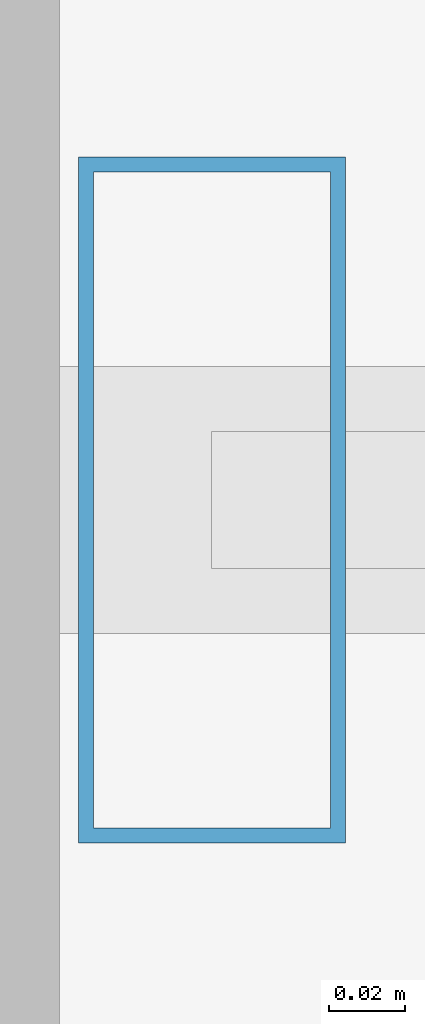
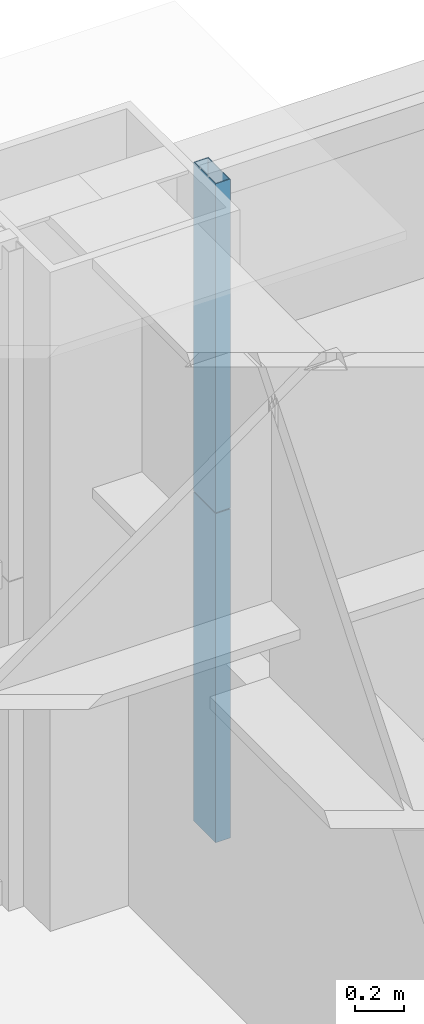
# One storey, part 32 of 45: 2 members, 1 element without a shape of its own.
"""IFC4 building model written with IfcOpenShell, lengths in metres."""

from ifc_helpers import new_model, si_unit, direction, frame, origin, origin_2d, place, context, subcontext, project, spatial, hollow_rectangle, extrude, source, transform, mapped, material, layer, layer_set, material_profile, profile_set, type_object, element, aggregate, save


model = new_model("IFC4")

# Units and contexts
model_context = context("Model", 3, precision=1e-05, world=origin(), true_north=direction((0.0, 1.0)))
body_context = subcontext(model_context, "Body", "Model", "MODEL_VIEW")
ifc_project = project(units=[si_unit("LENGTHUNIT", "METRE"), si_unit("AREAUNIT", "SQUARE_METRE"), si_unit("VOLUMEUNIT", "CUBIC_METRE"), si_unit("PLANEANGLEUNIT", "RADIAN"), si_unit("MASSUNIT", "GRAM", prefix="KILO"), si_unit("THERMODYNAMICTEMPERATUREUNIT", "KELVIN"), si_unit("POWERUNIT", "WATT")], contexts=[model_context])

# Site, building, storey
site_placement = place(None, origin())
site = spatial("IfcSite", under=ifc_project, at=site_placement, CompositionType="ELEMENT")
building_placement = place(site_placement, origin())
building = spatial("IfcBuilding", under=site, at=building_placement, Name="Yuzanri Waterfront Tower", CompositionType="ELEMENT")
storey_placement = place(building_placement, frame((0.0, 0.0, 163.199951171875)))
storey = spatial("IfcBuildingStorey", under=building, at=storey_placement, Name="L43", CompositionType="ELEMENT", Elevation=163.199951171875)

# Curtain wall, members
ifc_material_1 = material(Name="Anodized Architectural Bronze", Category="metal")
ifc_layer = layer(ifc_material_1, 0.159912109375)
ifc_layer_set = layer_set([ifc_layer], Name="Anodized Architectural Bronze")
curtain_wall_type = type_object("IfcCurtainWallType", Name="Anodized Bronze Hotel Upper-Tier Solar-Control Unitized Curtain Wall 7800", PredefinedType="NOTDEFINED", material=ifc_layer_set)
curtain_wall_placement = place(storey_placement, origin())
curtain_wall = element("IfcCurtainWall", 1, at=curtain_wall_placement, inside=storey, type_object=curtain_wall_type, Name="L43 Curtain Wall CW-L43-NR", PredefinedType="NOTDEFINED")
ifc_material_2 = material(Name="Anodized Architectural Bronze", Category="metal")
ifc_material_profile = material_profile(ifc_material_2, hollow_rectangle(XDim=0.070068359375, YDim=0.179931640625, WallThickness=0.00390625, at=origin_2d()), Name="CWM 70x180")
ifc_profile_set = profile_set([ifc_material_profile], Name="Anodized Architectural Bronze")
member_type = type_object("IfcMemberType", Name="Anodized Bronze Standard Curtain-Wall Mullion 70x180", PredefinedType="MULLION", material=ifc_profile_set)
shared_shape = source(origin(), body_context, "Body", "SweptSolid", [
    extrude(hollow_rectangle(XDim=0.070068359375, YDim=0.179931640625, WallThickness=0.00390625, at=origin_2d()), origin(), (0.0, 0.0, 1.0), 1.64794921875),
])
member_1_placement = place(storey_placement, frame((37.489990234375, 49.25, 0.0), z_axis=(0.0, 0.0, 1.0), x_axis=(1.0, 0.0, 0.0)))
member_1 = element("IfcMember", 2, at=member_1_placement, type_object=member_type, Name="CW-L43-NR Lower Mullion 00", PredefinedType="MULLION", context=body_context, shape_type="MappedRepresentation", body=[
    mapped(shared_shape, transform((0.0, 0.0, 0.0), scale=1.0)),
])
member_2_placement = place(storey_placement, frame((37.489990234375, 49.25, 1.652099609375), z_axis=(0.0, 0.0, 1.0), x_axis=(1.0, 0.0, 0.0)))
member_2 = element("IfcMember", 3, at=member_2_placement, type_object=member_type, Name="CW-L43-NR Upper Mullion 00", PredefinedType="MULLION", context=body_context, shape_type="MappedRepresentation", body=[
    mapped(shared_shape, transform((0.0, 0.0, 0.0), scale=1.0)),
])
aggregate(curtain_wall, [member_1, member_2])

save(model, "model.ifc")
